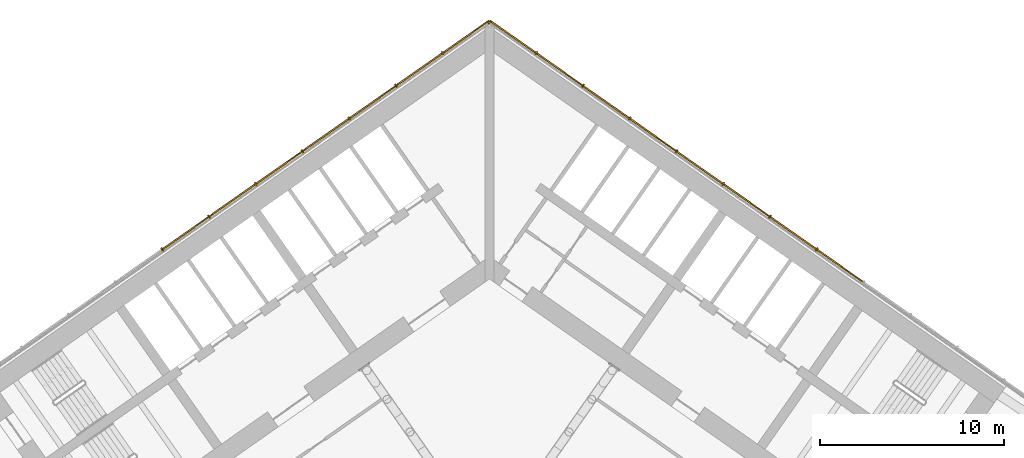
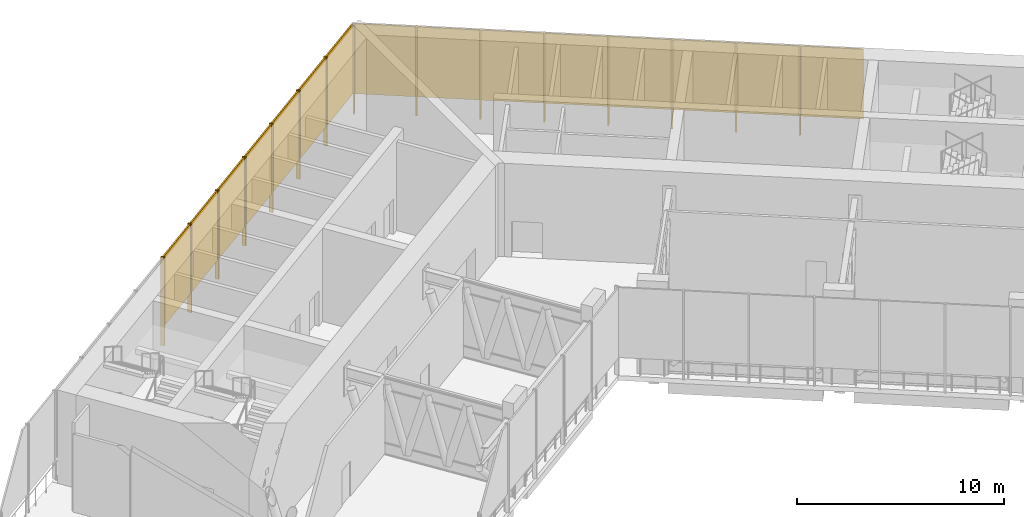
# One storey, part 23 of 24: 30 shading devices.
"""IFC4 building model written with IfcOpenShell, lengths in metres."""

from ifc_helpers import new_model, si_unit, direction, frame, origin, origin_2d, place, context, subcontext, project, spatial, rectangle, extrude, material, layer, layer_set, type_object, element, save


model = new_model("IFC4")

# Units and contexts
model_context = context("Model", 3, precision=1e-05, world=origin(), true_north=direction((0.0, 1.0)))
body_context = subcontext(model_context, "Body", "Model", "MODEL_VIEW")
ifc_project = project(units=[si_unit("LENGTHUNIT", "METRE"), si_unit("AREAUNIT", "SQUARE_METRE"), si_unit("VOLUMEUNIT", "CUBIC_METRE"), si_unit("PLANEANGLEUNIT", "RADIAN"), si_unit("MASSUNIT", "GRAM", prefix="KILO")], contexts=[model_context])

# Site, building, storey
site_placement = place(None, origin())
site = spatial("IfcSite", under=ifc_project, at=site_placement, CompositionType="ELEMENT")
building_placement = place(site_placement, origin())
building = spatial("IfcBuilding", under=site, at=building_placement, Name="Tel Ilan Convention Tower", CompositionType="ELEMENT")
storey_placement = place(building_placement, frame((0.0, 0.0, 126.5)))
storey = spatial("IfcBuildingStorey", under=building, at=storey_placement, Name="L28", CompositionType="ELEMENT", Elevation=126.5)

# Shading devices
ifc_material_1 = material(Name="Perforated aluminium sheet, bronze anodised", Category="aluminium")
ifc_layer_1 = layer(ifc_material_1, 0.080078125)
ifc_layer_set_1 = layer_set([ifc_layer_1], Name="PERFORATED SCREEN 80")
shading_device_type_1 = type_object("IfcShadingDeviceType", Name="PERFORATED SCREEN 80", PredefinedType="USERDEFINED", material=ifc_layer_set_1)
for number, where, z_axis, x_axis, name in (
    (1, (19.02685546875, -0.504638671875, 1.099853515625), (0.0, 0.0, 1.0), (-0.819152044289, 0.573576436351, 0.0), "SCREEN"),
    (2, (16.489990234375, 1.271728515625, 1.099853515625), (0.0, 0.0, 1.0), (-0.819152044289, 0.573576436351, 0.0), "SCREEN"),
    (3, (13.953125, 3.048095703125, 1.099853515625), (0.0, 0.0, 1.0), (-0.819152044289, 0.573576436351, 0.0), "SCREEN"),
    (4, (11.416259765625, 4.824462890625, 1.099853515625), (0.0, 0.0, 1.0), (-0.819152044289, 0.573576436351, 0.0), "SCREEN"),
    (5, (8.879150390625, 6.600830078125, 1.099853515625), (0.0, 0.0, 1.0), (-0.819152044289, 0.573576436351, 0.0), "SCREEN"),
    (6, (6.34228515625, 8.377197265625, 1.099853515625), (0.0, 0.0, 1.0), (-0.819152044289, 0.573576436351, 0.0), "SCREEN"),
    (7, (3.805419921875, 10.153564453125, 1.099853515625), (0.0, 0.0, 1.0), (-0.819152044289, 0.573576436351, 0.0), "SCREEN"),
    (8, (1.2685546875, 11.929931640625, 1.099853515625), (0.0, 0.0, 1.0), (-0.819152044289, 0.573576436351, 0.0), "SCREEN"),
    (9, (-1.2685546875, 11.929931640625, 1.099853515625), (0.0, 0.0, 1.0), (-0.819152044289, -0.573576436351, 0.0), "SCREEN"),
    (10, (-3.805419921875, 10.153564453125, 1.099853515625), (0.0, 0.0, 1.0), (-0.819152044289, -0.573576436351, 0.0), "SCREEN"),
    (11, (-6.34228515625, 8.377197265625, 1.099853515625), (0.0, 0.0, 1.0), (-0.819152044289, -0.573576436351, 0.0), "SCREEN"),
    (12, (-8.879150390625, 6.600830078125, 1.099853515625), (0.0, 0.0, 1.0), (-0.819152044289, -0.573576436351, 0.0), "SCREEN"),
    (13, (-11.416259765625, 4.824462890625, 1.099853515625), (0.0, 0.0, 1.0), (-0.819152044289, -0.573576436351, 0.0), "SCREEN"),
    (14, (-13.953125, 3.048095703125, 1.099853515625), (0.0, 0.0, 1.0), (-0.819152044289, -0.573576436351, 0.0), "SCREEN"),
    (15, (-16.489990234375, 1.271728515625, 1.099853515625), (0.0, 0.0, 1.0), (-0.819152044289, -0.573576436351, 0.0), "SCREEN"),
):
    element("IfcShadingDevice", number, at=place(storey_placement, frame(where, z_axis=z_axis, x_axis=x_axis)), inside=storey, type_object=shading_device_type_1, Name=name, ObjectType="SCREEN", PredefinedType="USERDEFINED", context=body_context, shape_type="SweptSolid", body=[
        extrude(rectangle(XDim=3.037109375, YDim=0.080078125, at=origin_2d()), origin(), (0.0, 0.0, 1.0), 4.1201171875),
    ])
ifc_material_2 = material(Name="Perforated aluminium sheet, bronze anodised", Category="aluminium")
ifc_layer_2 = layer(ifc_material_2, 0.080078125)
ifc_layer_set_2 = layer_set([ifc_layer_2], Name="SCREEN CORNER CLOSURE 80x200")
shading_device_type_2 = type_object("IfcShadingDeviceType", Name="SCREEN CORNER CLOSURE 80x200", PredefinedType="USERDEFINED", material=ifc_layer_set_2)
shading_device_placement = place(storey_placement, frame((0.0, 12.696044921875, 0.0), z_axis=(0.0, 0.0, 1.0), x_axis=(-0.819152044289, 0.573576436351, 0.0)))
element("IfcShadingDevice", 16, at=shading_device_placement, inside=storey, type_object=shading_device_type_2, Name="SCREEN", ObjectType="SCREEN", PredefinedType="USERDEFINED", context=body_context, shape_type="SweptSolid", body=[
    extrude(rectangle(XDim=0.080078125, YDim=0.199951171875, at=origin_2d()), origin(), (0.0, 0.0, 1.0), 5.219970703125),
])
ifc_material_3 = material(Name="Aluminium, bronze anodised", Category="aluminium")
ifc_layer_3 = layer(ifc_material_3, 0.080078125)
ifc_layer_set_3 = layer_set([ifc_layer_3], Name="SCREEN POST 80x200")
shading_device_type_3 = type_object("IfcShadingDeviceType", Name="SCREEN POST 80x200", PredefinedType="USERDEFINED", material=ifc_layer_set_3)
for number, where, z_axis, x_axis, name in (
    (17, (17.758544921875, 0.383544921875, 0.0), (0.0, 0.0, 1.0), (-0.819152044289, 0.573576436351, 0.0), "Screen post"),
    (18, (15.221435546875, 2.159912109375, 0.0), (0.0, 0.0, 1.0), (-0.819152044289, 0.573576436351, 0.0), "Screen post"),
    (19, (12.6845703125, 3.936279296875, 0.0), (0.0, 0.0, 1.0), (-0.819152044289, 0.573576436351, 0.0), "Screen post"),
    (20, (10.147705078125, 5.712646484375, 0.0), (0.0, 0.0, 1.0), (-0.819152044289, 0.573576436351, 0.0), "Screen post"),
    (21, (7.61083984375, 7.489013671875, 0.0), (0.0, 0.0, 1.0), (-0.819152044289, 0.573576436351, 0.0), "Screen post"),
    (22, (5.07373046875, 9.265380859375, 0.0), (0.0, 0.0, 1.0), (-0.819152044289, 0.573576436351, 0.0), "Screen post"),
    (23, (2.536865234375, 11.041748046875, 0.0), (0.0, 0.0, 1.0), (-0.819152044289, 0.573576436351, 0.0), "Screen post"),
    (24, (-2.536865234375, 11.041748046875, 0.0), (0.0, 0.0, 1.0), (-0.819152044289, -0.573576436351, 0.0), "Screen post"),
    (25, (-5.07373046875, 9.265380859375, 0.0), (0.0, 0.0, 1.0), (-0.819152044289, -0.573576436351, 0.0), "Screen post"),
    (26, (-7.61083984375, 7.489013671875, 0.0), (0.0, 0.0, 1.0), (-0.819152044289, -0.573576436351, 0.0), "Screen post"),
    (27, (-10.147705078125, 5.712646484375, 0.0), (0.0, 0.0, 1.0), (-0.819152044289, -0.573576436351, 0.0), "Screen post"),
    (28, (-12.6845703125, 3.936279296875, 0.0), (0.0, 0.0, 1.0), (-0.819152044289, -0.573576436351, 0.0), "Screen post"),
    (29, (-15.221435546875, 2.159912109375, 0.0), (0.0, 0.0, 1.0), (-0.819152044289, -0.573576436351, 0.0), "Screen post"),
    (30, (-17.758544921875, 0.383544921875, 0.0), (0.0, 0.0, 1.0), (-0.819152044289, -0.573576436351, 0.0), "Screen post"),
):
    element("IfcShadingDevice", number, at=place(storey_placement, frame(where, z_axis=z_axis, x_axis=x_axis)), inside=storey, type_object=shading_device_type_3, Name=name, ObjectType="SCREEN POST", PredefinedType="USERDEFINED", context=body_context, shape_type="SweptSolid", body=[
        extrude(rectangle(XDim=0.080078125, YDim=0.199951171875, at=origin_2d()), origin(), (0.0, 0.0, 1.0), 5.219970703125),
    ])

save(model, "model.ifc")
